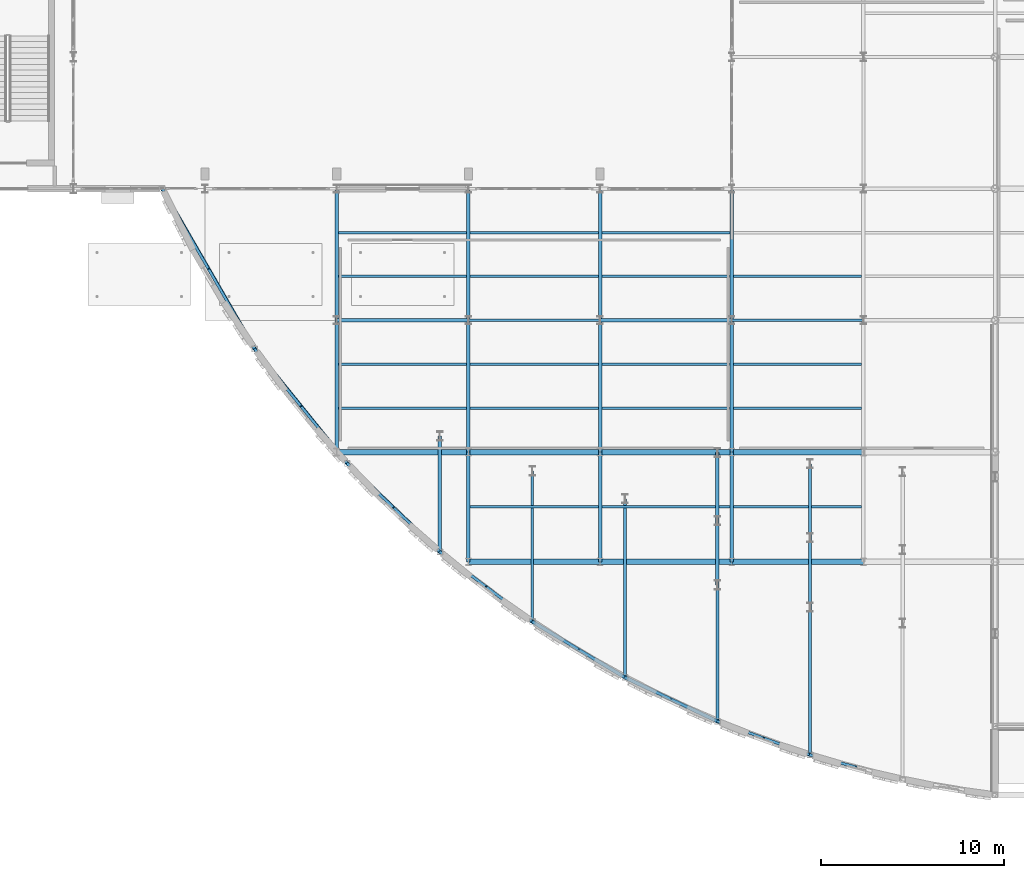
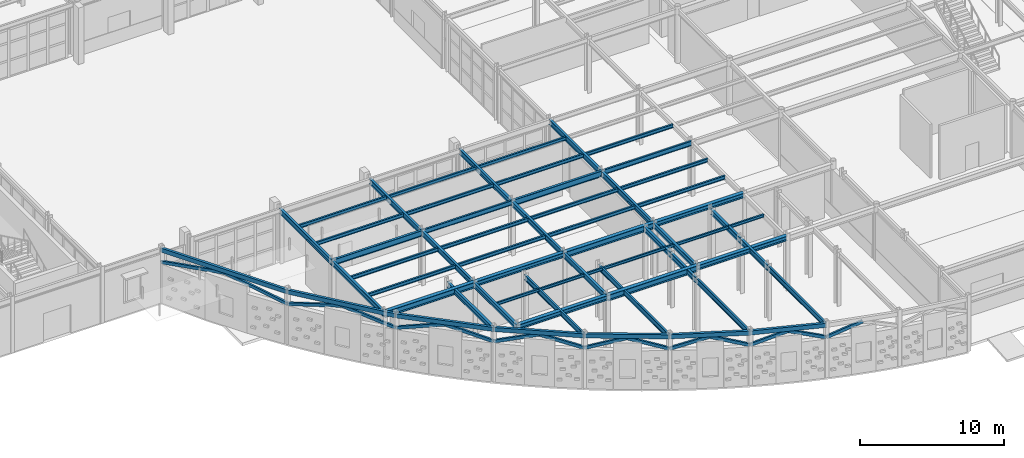
# One storey, part 17 of 83: 56 beams, 15 members.
"""IFC4 building model written with IfcOpenShell, lengths in metres."""

from ifc_helpers import new_model, si_unit, direction, frame, origin, origin_2d, place, context, subcontext, project, spatial, hollow_rectangle, i_section, extrude, material, material_profile, profile_set, type_object, element, save


model = new_model("IFC4")

# Units and contexts
model_context = context("Model", 3, precision=1e-05, world=origin(), true_north=direction((0.0, 1.0)))
body_context = subcontext(model_context, "Body", "Model", "MODEL_VIEW")
ifc_project = project(units=[si_unit("LENGTHUNIT", "METRE"), si_unit("AREAUNIT", "SQUARE_METRE"), si_unit("VOLUMEUNIT", "CUBIC_METRE"), si_unit("PLANEANGLEUNIT", "RADIAN"), si_unit("MASSUNIT", "GRAM", prefix="KILO")], contexts=[model_context])

# Site, building, storey
site_placement = place(None, origin())
site = spatial("IfcSite", under=ifc_project, at=site_placement, CompositionType="ELEMENT")
building_placement = place(site_placement, origin())
building = spatial("IfcBuilding", under=site, at=building_placement, Name="Solvadek Multi-Sports Hall", CompositionType="ELEMENT")
storey_placement = place(building_placement, origin())
storey = spatial("IfcBuildingStorey", under=building, at=storey_placement, Name="L00", CompositionType="ELEMENT", Elevation=0.0)

# Members
ifc_material_1 = material(Name="Steel E350 (350 MPa)", Category="steel")
ifc_material_profile_1 = material_profile(ifc_material_1, hollow_rectangle(XDim=0.14990234375, YDim=0.25, WallThickness=0.010009765625, at=origin_2d()), Name="RHS 250x150x10")
ifc_profile_set_1 = profile_set([ifc_material_profile_1], Name="Steel E350 (350 MPa)")
member_type = type_object("IfcMemberType", Name="STR-ARC-RHS250", PredefinedType="USERDEFINED", material=ifc_profile_set_1)
for number, where, z_axis, x_axis, name in (
    (1, (26.45458984375, 20.39990234375, 3.35009765625), (0.492672478072, -0.853572656915, 0.169373990677), (0.866085996316, 0.499895035967, 0.0), "Crescent Pointed Revak Arch W-1L"),
    (2, (28.98486328125, 16.01611328125, 4.219970703125), (0.492672478072, -0.853572656915, -0.169373990677), (0.866085996316, 0.499895035967, 0.0), "Crescent Pointed Revak Arch W-1R"),
):
    element("IfcMember", number, at=place(storey_placement, frame(where, z_axis=z_axis, x_axis=x_axis)), inside=storey, type_object=member_type, Name=name, ObjectType="ARCH_SEGMENT", PredefinedType="USERDEFINED", context=body_context, shape_type="SweptSolid", body=[
        extrude(hollow_rectangle(XDim=0.14990234375, YDim=0.25, WallThickness=0.010009765625, at=origin_2d()), origin(), (0.0, 0.0, 1.0), 5.1357421875),
    ])
for number, where, z_axis, x_axis, name in (
    (3, (31.51513671875, 11.63232421875, 3.35009765625), (0.614437565211, -0.760161951094, 0.211235145199), (0.777710782373, 0.628622254602, 0.0), "Crescent Pointed Revak Arch W-2L"),
    (4, (34.04541015625, 8.501953125, 4.219970703125), (0.614437565211, -0.760161951094, -0.211235145199), (0.777710782373, 0.628622254602, 0.0), "Crescent Pointed Revak Arch W-2R"),
):
    element("IfcMember", number, at=place(storey_placement, frame(where, z_axis=z_axis, x_axis=x_axis)), inside=storey, type_object=member_type, Name=name, ObjectType="ARCH_SEGMENT", PredefinedType="USERDEFINED", context=body_context, shape_type="SweptSolid", body=[
        extrude(hollow_rectangle(XDim=0.14990234375, YDim=0.25, WallThickness=0.010009765625, at=origin_2d()), origin(), (0.0, 0.0, 1.0), 4.117919921875),
    ])
member_1_placement = place(storey_placement, frame((36.57568359375, 5.37158203125, 3.35009765625), z_axis=(0.702293719615, -0.669702954624, 0.241415583501), x_axis=(0.690115306789, 0.723699428862, 0.0)))
element("IfcMember", 5, at=member_1_placement, inside=storey, type_object=member_type, Name="Crescent Pointed Revak Arch W-3L", ObjectType="ARCH_SEGMENT", PredefinedType="USERDEFINED", context=body_context, shape_type="SweptSolid", body=[
    extrude(hollow_rectangle(XDim=0.14990234375, YDim=0.25, WallThickness=0.010009765625, at=origin_2d()), origin(), (0.0, 0.0, 1.0), 3.603271484375),
])
member_2_placement = place(storey_placement, frame((39.106201171875, 2.95849609375, 4.219970703125), z_axis=(0.702259379403, -0.669734823043, -0.24142707148), x_axis=(0.690150179104, 0.723666173233, 0.0)))
element("IfcMember", 6, at=member_2_placement, inside=storey, type_object=member_type, Name="Crescent Pointed Revak Arch W-3R", ObjectType="ARCH_SEGMENT", PredefinedType="USERDEFINED", context=body_context, shape_type="SweptSolid", body=[
    extrude(hollow_rectangle(XDim=0.14990234375, YDim=0.25, WallThickness=0.010009765625, at=origin_2d()), origin(), (0.0, 0.0, 1.0), 3.60302734375),
])
for number, where, z_axis, x_axis, name in (
    (7, (41.636474609375, 0.54541015625, 3.35009765625), (0.769432327623, -0.581380215903, 0.264520202945), (0.602853780732, 0.797851689888, 0.0), "Crescent Pointed Revak Arch W-4L"),
    (8, (44.166748046875, -1.366455078125, 4.219970703125), (0.769432327623, -0.581380215903, -0.264520202945), (0.602853780732, 0.797851689888, 0.0), "Crescent Pointed Revak Arch W-4R"),
):
    element("IfcMember", number, at=place(storey_placement, frame(where, z_axis=z_axis, x_axis=x_axis)), inside=storey, type_object=member_type, Name=name, ObjectType="ARCH_SEGMENT", PredefinedType="USERDEFINED", context=body_context, shape_type="SweptSolid", body=[
        extrude(hollow_rectangle(XDim=0.14990234375, YDim=0.25, WallThickness=0.010009765625, at=origin_2d()), origin(), (0.0, 0.0, 1.0), 3.28857421875),
    ])
for number, where, z_axis, x_axis, name in (
    (9, (46.697021484375, -3.2783203125, 3.35009765625), (0.821898932932, -0.494614400299, 0.282557496916), (0.515625970897, 0.856813782648, 0.0), "Crescent Pointed Revak Arch W-5L"),
    (10, (49.227294921875, -4.801025390625, 4.219970703125), (0.821866693643, -0.494674299011, -0.282546413494), (0.515686659083, 0.856777257893, 0.0), "Crescent Pointed Revak Arch W-5R"),
):
    element("IfcMember", number, at=place(storey_placement, frame(where, z_axis=z_axis, x_axis=x_axis)), inside=storey, type_object=member_type, Name=name, ObjectType="ARCH_SEGMENT", PredefinedType="USERDEFINED", context=body_context, shape_type="SweptSolid", body=[
        extrude(hollow_rectangle(XDim=0.14990234375, YDim=0.25, WallThickness=0.010009765625, at=origin_2d()), origin(), (0.0, 0.0, 1.0), 3.07861328125),
    ])
for number, where, z_axis, x_axis, name in (
    (11, (51.757568359375, -6.323974609375, 3.35009765625), (0.862844596606, -0.409276730694, 0.296634050338), (0.428565959457, 0.903510497114, 0.0), "Crescent Pointed Revak Arch W-6L"),
    (12, (54.287841796875, -7.524169921875, 4.219970703125), (0.862873995625, -0.409207418805, -0.296644157315), (0.428494789526, 0.903544252015, 0.0), "Crescent Pointed Revak Arch W-6R"),
):
    element("IfcMember", number, at=place(storey_placement, frame(where, z_axis=z_axis, x_axis=x_axis)), inside=storey, type_object=member_type, Name=name, ObjectType="ARCH_SEGMENT", PredefinedType="USERDEFINED", context=body_context, shape_type="SweptSolid", body=[
        extrude(hollow_rectangle(XDim=0.14990234375, YDim=0.25, WallThickness=0.010009765625, at=origin_2d()), origin(), (0.0, 0.0, 1.0), 2.932373046875),
    ])
member_3_placement = place(storey_placement, frame((56.818115234375, -8.72412109375, 3.35009765625), z_axis=(0.894370339453, -0.324903929761, 0.307472165136), x_axis=(0.34144449994, 0.939901938215, 0.0)))
element("IfcMember", 13, at=member_3_placement, inside=storey, type_object=member_type, Name="Crescent Pointed Revak Arch W-7L", ObjectType="ARCH_SEGMENT", PredefinedType="USERDEFINED", context=body_context, shape_type="SweptSolid", body=[
    extrude(hollow_rectangle(XDim=0.14990234375, YDim=0.25, WallThickness=0.010009765625, at=origin_2d()), origin(), (0.0, 0.0, 1.0), 2.8291015625),
])
member_4_placement = place(storey_placement, frame((59.348388671875, -9.643310546875, 4.219970703125), z_axis=(0.894362530278, -0.324956033674, -0.307439816245), x_axis=(0.341495505346, 0.939883407572, 0.0)))
element("IfcMember", 14, at=member_4_placement, inside=storey, type_object=member_type, Name="Crescent Pointed Revak Arch W-7R", ObjectType="ARCH_SEGMENT", PredefinedType="USERDEFINED", context=body_context, shape_type="SweptSolid", body=[
    extrude(hollow_rectangle(XDim=0.14990234375, YDim=0.25, WallThickness=0.010009765625, at=origin_2d()), origin(), (0.0, 0.0, 1.0), 2.829345703125),
])
member_5_placement = place(storey_placement, frame((61.87890625, -10.562744140625, 3.35009765625), z_axis=(0.917712573696, -0.241382137775, 0.315496902748), x_axis=(0.254373874801, 0.967105956873, 0.0)))
element("IfcMember", 15, at=member_5_placement, inside=storey, type_object=member_type, Name="Crescent Pointed Revak Arch W-8L", ObjectType="ARCH_SEGMENT", PredefinedType="USERDEFINED", context=body_context, shape_type="SweptSolid", body=[
    extrude(hollow_rectangle(XDim=0.14990234375, YDim=0.25, WallThickness=0.010009765625, at=origin_2d()), origin(), (0.0, 0.0, 1.0), 2.757080078125),
])

# Beams
ifc_material_profile_2 = material_profile(ifc_material_1, i_section(OverallWidth=0.139892578125, OverallDepth=0.39990234375, WebThickness=0.0087890625, FlangeThickness=0.01611328125, at=origin_2d()), Name="ISMB 400")
ifc_profile_set_2 = profile_set([ifc_material_profile_2], Name="Steel E350 (350 MPa)")
beam_type_1 = type_object("IfcBeamType", Name="STR-BM-ISMB400", PredefinedType="BEAM", material=ifc_profile_set_2)
for number, where, z_axis, x_axis, name in (
    (16, (43.199951171875, 13.199951171875, 4.3798828125), (1.0, 0.0, 0.0), (0.0, 1.0, 0.0), "L00 Girder B-10 #544"),
    (17, (57.60009765625, 13.199951171875, 4.3798828125), (1.0, 0.0, 0.0), (0.0, 1.0, 0.0), "L00 Girder B-10 #546"),
):
    element("IfcBeam", number, at=place(storey_placement, frame(where, z_axis=z_axis, x_axis=x_axis)), inside=storey, type_object=beam_type_1, Name=name, PredefinedType="BEAM", context=body_context, shape_type="SweptSolid", body=[
        extrude(i_section(OverallWidth=0.139892578125, OverallDepth=0.39990234375, WebThickness=0.0087890625, FlangeThickness=0.01611328125, at=origin_2d()), origin(), (0.0, 0.0, 1.0), 7.199951171875),
    ])
ifc_material_profile_3 = material_profile(ifc_material_1, i_section(OverallWidth=0.14990234375, OverallDepth=0.449951171875, WebThickness=0.009521484375, FlangeThickness=0.017333984375, at=origin_2d()), Name="ISMB 450")
ifc_profile_set_3 = profile_set([ifc_material_profile_3], Name="Steel E350 (350 MPa)")
beam_type_2 = type_object("IfcBeamType", Name="STR-BM-ISMB450", PredefinedType="BEAM", material=ifc_profile_set_3)
beam_1_placement = place(storey_placement, frame((46.697021484375, -3.2783203125, 4.35498046875), z_axis=(0.0, 1.0, 0.0), x_axis=(-1.0, 0.0, 0.0)))
element("IfcBeam", 18, at=beam_1_placement, inside=storey, type_object=beam_type_2, Name="L00 Girder B-09 #805", PredefinedType="BEAM", context=body_context, shape_type="SweptSolid", body=[
    extrude(i_section(OverallWidth=0.14990234375, OverallDepth=0.449951171875, WebThickness=0.009521484375, FlangeThickness=0.017333984375, at=origin_2d()), origin(), (0.0, 0.0, 1.0), 8.239013671875),
])
beam_2_placement = place(storey_placement, frame((51.757568359375, -6.323974609375, 4.35498046875), z_axis=(0.0, 1.0, 0.0), x_axis=(-1.0, 0.0, 0.0)))
element("IfcBeam", 19, at=beam_2_placement, inside=storey, type_object=beam_type_2, Name="L00 Girder B-09 #817", PredefinedType="BEAM", context=body_context, shape_type="SweptSolid", body=[
    extrude(i_section(OverallWidth=0.14990234375, OverallDepth=0.449951171875, WebThickness=0.009521484375, FlangeThickness=0.017333984375, at=origin_2d()), origin(), (0.0, 0.0, 1.0), 9.761962890625),
])
beam_3_placement = place(storey_placement, frame((56.818115234375, -8.72412109375, 4.35498046875), z_axis=(0.0, 1.0, 0.0), x_axis=(-1.0, 0.0, 0.0)))
element("IfcBeam", 20, at=beam_3_placement, inside=storey, type_object=beam_type_2, Name="L00 Girder B-09 #818", PredefinedType="BEAM", context=body_context, shape_type="SweptSolid", body=[
    extrude(i_section(OverallWidth=0.14990234375, OverallDepth=0.449951171875, WebThickness=0.009521484375, FlangeThickness=0.017333984375, at=origin_2d()), origin(), (0.0, 0.0, 1.0), 7.4541015625),
])
beam_4_placement = place(storey_placement, frame((61.87890625, -10.562744140625, 4.35498046875), z_axis=(0.0, 1.0, 0.0), x_axis=(-1.0, 0.0, 0.0)))
element("IfcBeam", 21, at=beam_4_placement, inside=storey, type_object=beam_type_2, Name="L00 Girder B-09 #836", PredefinedType="BEAM", context=body_context, shape_type="SweptSolid", body=[
    extrude(i_section(OverallWidth=0.14990234375, OverallDepth=0.449951171875, WebThickness=0.009521484375, FlangeThickness=0.017333984375, at=origin_2d()), origin(), (0.0, 0.0, 1.0), 8.079345703125),
])
ifc_material_profile_4 = material_profile(ifc_material_1, i_section(OverallWidth=0.179931640625, OverallDepth=0.5, WebThickness=0.01025390625, FlangeThickness=0.01708984375, at=origin_2d()), Name="ISMB 500")
ifc_profile_set_4 = profile_set([ifc_material_profile_4], Name="Steel E350 (350 MPa)")
beam_type_3 = type_object("IfcBeamType", Name="STR-BM-ISMB500", PredefinedType="BEAM", material=ifc_profile_set_4)
beam_5_placement = place(storey_placement, frame((36.0, 13.199951171875, 4.330078125), z_axis=(1.0, 0.0, 0.0), x_axis=(0.0, 1.0, 0.0)))
element("IfcBeam", 22, at=beam_5_placement, inside=storey, type_object=beam_type_3, Name="L00 Girder B-07 #543", PredefinedType="BEAM", context=body_context, shape_type="SweptSolid", body=[
    extrude(i_section(OverallWidth=0.179931640625, OverallDepth=0.5, WebThickness=0.01025390625, FlangeThickness=0.01708984375, at=origin_2d()), origin(), (0.0, 0.0, 1.0), 7.199951171875),
])
beam_6_placement = place(storey_placement, frame((50.39990234375, 13.199951171875, 4.330078125), z_axis=(1.0, 0.0, 0.0), x_axis=(0.0, 1.0, 0.0)))
element("IfcBeam", 23, at=beam_6_placement, inside=storey, type_object=beam_type_3, Name="L00 Girder B-07 #545", PredefinedType="BEAM", context=body_context, shape_type="SweptSolid", body=[
    extrude(i_section(OverallWidth=0.179931640625, OverallDepth=0.5, WebThickness=0.01025390625, FlangeThickness=0.01708984375, at=origin_2d()), origin(), (0.0, 0.0, 1.0), 7.2001953125),
])
ifc_material_profile_5 = material_profile(ifc_material_1, i_section(OverallWidth=0.18994140625, OverallDepth=0.449951171875, WebThickness=0.009521484375, FlangeThickness=0.0146484375, at=origin_2d()), Name="NPB 450")
ifc_profile_set_5 = profile_set([ifc_material_profile_5], Name="Steel E350 (350 MPa)")
beam_type_4 = type_object("IfcBeamType", Name="STR-BM-NPB450", PredefinedType="BEAM", material=ifc_profile_set_5)
for number, where, z_axis, x_axis, name in (
    (24, (36.0, 6.0, 4.35498046875), (0.0, 1.0, 0.0), (-1.0, 0.0, 0.0), "L00 Girder B-08 #783"),
    (25, (36.0, 13.199951171875, 4.35498046875), (0.0, 1.0, 0.0), (-1.0, 0.0, 0.0), "L00 Girder B-08 #784"),
):
    element("IfcBeam", number, at=place(storey_placement, frame(where, z_axis=z_axis, x_axis=x_axis)), inside=storey, type_object=beam_type_4, Name=name, PredefinedType="BEAM", context=body_context, shape_type="SweptSolid", body=[
        extrude(i_section(OverallWidth=0.18994140625, OverallDepth=0.449951171875, WebThickness=0.009521484375, FlangeThickness=0.0146484375, at=origin_2d()), origin(), (0.0, 0.0, 1.0), 7.199951171875),
    ])
beam_7_placement = place(storey_placement, frame((41.636474609375, 0.54541015625, 4.35498046875), z_axis=(0.0, 1.0, 0.0), x_axis=(-1.0, 0.0, 0.0)))
element("IfcBeam", 26, at=beam_7_placement, inside=storey, type_object=beam_type_4, Name="L00 Girder B-08 #793", PredefinedType="BEAM", context=body_context, shape_type="SweptSolid", body=[
    extrude(i_section(OverallWidth=0.18994140625, OverallDepth=0.449951171875, WebThickness=0.009521484375, FlangeThickness=0.0146484375, at=origin_2d()), origin(), (0.0, 0.0, 1.0), 6.3271484375),
])
beam_8_placement = place(storey_placement, frame((43.199951171875, 0.0, 4.35498046875), z_axis=(0.0, 1.0, 0.0), x_axis=(-1.0, 0.0, 0.0)))
element("IfcBeam", 27, at=beam_8_placement, inside=storey, type_object=beam_type_4, Name="L00 Girder B-08 #794", PredefinedType="BEAM", context=body_context, shape_type="SweptSolid", body=[
    extrude(i_section(OverallWidth=0.18994140625, OverallDepth=0.449951171875, WebThickness=0.009521484375, FlangeThickness=0.0146484375, at=origin_2d()), origin(), (0.0, 0.0, 1.0), 6.0),
])
for number, where, z_axis, x_axis, name in (
    (28, (43.199951171875, 6.0, 4.35498046875), (0.0, 1.0, 0.0), (-1.0, 0.0, 0.0), "L00 Girder B-08 #795"),
    (29, (43.199951171875, 13.199951171875, 4.35498046875), (0.0, 1.0, 0.0), (-1.0, 0.0, 0.0), "L00 Girder B-08 #796"),
):
    element("IfcBeam", number, at=place(storey_placement, frame(where, z_axis=z_axis, x_axis=x_axis)), inside=storey, type_object=beam_type_4, Name=name, PredefinedType="BEAM", context=body_context, shape_type="SweptSolid", body=[
        extrude(i_section(OverallWidth=0.18994140625, OverallDepth=0.449951171875, WebThickness=0.009521484375, FlangeThickness=0.0146484375, at=origin_2d()), origin(), (0.0, 0.0, 1.0), 7.199951171875),
    ])
beam_9_placement = place(storey_placement, frame((50.39990234375, 0.0, 4.35498046875), z_axis=(0.0, 1.0, 0.0), x_axis=(-1.0, 0.0, 0.0)))
element("IfcBeam", 30, at=beam_9_placement, inside=storey, type_object=beam_type_4, Name="L00 Girder B-08 #806", PredefinedType="BEAM", context=body_context, shape_type="SweptSolid", body=[
    extrude(i_section(OverallWidth=0.18994140625, OverallDepth=0.449951171875, WebThickness=0.009521484375, FlangeThickness=0.0146484375, at=origin_2d()), origin(), (0.0, 0.0, 1.0), 6.0),
])
for number, where, z_axis, x_axis, name in (
    (31, (50.39990234375, 6.0, 4.35498046875), (0.0, 1.0, 0.0), (-1.0, 0.0, 0.0), "L00 Girder B-08 #807"),
    (32, (50.39990234375, 13.199951171875, 4.35498046875), (0.0, 1.0, 0.0), (-1.0, 0.0, 0.0), "L00 Girder B-08 #808"),
):
    element("IfcBeam", number, at=place(storey_placement, frame(where, z_axis=z_axis, x_axis=x_axis)), inside=storey, type_object=beam_type_4, Name=name, PredefinedType="BEAM", context=body_context, shape_type="SweptSolid", body=[
        extrude(i_section(OverallWidth=0.18994140625, OverallDepth=0.449951171875, WebThickness=0.009521484375, FlangeThickness=0.0146484375, at=origin_2d()), origin(), (0.0, 0.0, 1.0), 7.199951171875),
    ])
beam_10_placement = place(storey_placement, frame((56.818115234375, -1.27001953125, 4.35498046875), z_axis=(0.0, 1.0, 0.0), x_axis=(-1.0, 0.0, 0.0)))
element("IfcBeam", 33, at=beam_10_placement, inside=storey, type_object=beam_type_4, Name="L00 Girder B-08 #819", PredefinedType="BEAM", context=body_context, shape_type="SweptSolid", body=[
    extrude(i_section(OverallWidth=0.18994140625, OverallDepth=0.449951171875, WebThickness=0.009521484375, FlangeThickness=0.0146484375, at=origin_2d()), origin(), (0.0, 0.0, 1.0), 3.5078125),
])
beam_11_placement = place(storey_placement, frame((56.818115234375, 2.23779296875, 4.35498046875), z_axis=(0.0, 1.0, 0.0), x_axis=(-1.0, 0.0, 0.0)))
element("IfcBeam", 34, at=beam_11_placement, inside=storey, type_object=beam_type_4, Name="L00 Girder B-08 #820", PredefinedType="BEAM", context=body_context, shape_type="SweptSolid", body=[
    extrude(i_section(OverallWidth=0.18994140625, OverallDepth=0.449951171875, WebThickness=0.009521484375, FlangeThickness=0.0146484375, at=origin_2d()), origin(), (0.0, 0.0, 1.0), 3.727294921875),
])
beam_12_placement = place(storey_placement, frame((57.60009765625, 0.0, 4.35498046875), z_axis=(0.0, 1.0, 0.0), x_axis=(-1.0, 0.0, 0.0)))
element("IfcBeam", 35, at=beam_12_placement, inside=storey, type_object=beam_type_4, Name="L00 Girder B-08 #821", PredefinedType="BEAM", context=body_context, shape_type="SweptSolid", body=[
    extrude(i_section(OverallWidth=0.18994140625, OverallDepth=0.449951171875, WebThickness=0.009521484375, FlangeThickness=0.0146484375, at=origin_2d()), origin(), (0.0, 0.0, 1.0), 6.0),
])
for number, where, z_axis, x_axis, name in (
    (36, (57.60009765625, 6.0, 4.35498046875), (0.0, 1.0, 0.0), (-1.0, 0.0, 0.0), "L00 Girder B-08 #822"),
    (37, (57.60009765625, 13.199951171875, 4.35498046875), (0.0, 1.0, 0.0), (-1.0, 0.0, 0.0), "L00 Girder B-08 #823"),
):
    element("IfcBeam", number, at=place(storey_placement, frame(where, z_axis=z_axis, x_axis=x_axis)), inside=storey, type_object=beam_type_4, Name=name, PredefinedType="BEAM", context=body_context, shape_type="SweptSolid", body=[
        extrude(i_section(OverallWidth=0.18994140625, OverallDepth=0.449951171875, WebThickness=0.009521484375, FlangeThickness=0.0146484375, at=origin_2d()), origin(), (0.0, 0.0, 1.0), 7.199951171875),
    ])
beam_13_placement = place(storey_placement, frame((61.87890625, -2.4833984375, 4.35498046875), z_axis=(0.0, 1.0, 0.0), x_axis=(-1.0, 0.0, 0.0)))
element("IfcBeam", 38, at=beam_13_placement, inside=storey, type_object=beam_type_4, Name="L00 Girder B-08 #837", PredefinedType="BEAM", context=body_context, shape_type="SweptSolid", body=[
    extrude(i_section(OverallWidth=0.18994140625, OverallDepth=0.449951171875, WebThickness=0.009521484375, FlangeThickness=0.0146484375, at=origin_2d()), origin(), (0.0, 0.0, 1.0), 3.802001953125),
])
beam_14_placement = place(storey_placement, frame((61.87890625, 1.318603515625, 4.35498046875), z_axis=(0.0, 1.0, 0.0), x_axis=(-1.0, 0.0, 0.0)))
element("IfcBeam", 39, at=beam_14_placement, inside=storey, type_object=beam_type_4, Name="L00 Girder B-08 #838", PredefinedType="BEAM", context=body_context, shape_type="SweptSolid", body=[
    extrude(i_section(OverallWidth=0.18994140625, OverallDepth=0.449951171875, WebThickness=0.009521484375, FlangeThickness=0.0146484375, at=origin_2d()), origin(), (0.0, 0.0, 1.0), 4.039794921875),
])
ifc_material_2 = material(Name="Steel E250 (250 MPa)", Category="steel")
ifc_material_profile_6 = material_profile(ifc_material_2, i_section(OverallWidth=0.125, OverallDepth=0.25, WebThickness=0.0068359375, FlangeThickness=0.012451171875, at=origin_2d()), Name="ISMB 250")
ifc_profile_set_6 = profile_set([ifc_material_profile_6], Name="Steel E250 (250 MPa)")
beam_type_5 = type_object("IfcBeamType", Name="STR-JST-ISMB250", PredefinedType="JOIST", material=ifc_profile_set_6)
beam_15_placement = place(storey_placement, frame((43.294921875, 3.0, 4.455078125), z_axis=(1.0, 0.0, 0.0), x_axis=(0.0, 1.0, 0.0)))
element("IfcBeam", 40, at=beam_15_placement, inside=storey, type_object=beam_type_5, Name="L00 Composite Joist J-04 #367", PredefinedType="JOIST", context=body_context, shape_type="SweptSolid", body=[
    extrude(i_section(OverallWidth=0.125, OverallDepth=0.25, WebThickness=0.0068359375, FlangeThickness=0.012451171875, at=origin_2d()), origin(), (0.0, 0.0, 1.0), 7.010009765625),
])
beam_16_placement = place(storey_placement, frame((50.4951171875, 3.0, 4.455078125), z_axis=(1.0, 0.0, 0.0), x_axis=(0.0, 1.0, 0.0)))
element("IfcBeam", 41, at=beam_16_placement, inside=storey, type_object=beam_type_5, Name="L00 Composite Joist J-04 #368", PredefinedType="JOIST", context=body_context, shape_type="SweptSolid", body=[
    extrude(i_section(OverallWidth=0.125, OverallDepth=0.25, WebThickness=0.0068359375, FlangeThickness=0.012451171875, at=origin_2d()), origin(), (0.0, 0.0, 1.0), 7.009765625),
])
beam_17_placement = place(storey_placement, frame((57.695068359375, 3.0, 4.455078125), z_axis=(1.0, 0.0, 0.0), x_axis=(0.0, 1.0, 0.0)))
element("IfcBeam", 42, at=beam_17_placement, inside=storey, type_object=beam_type_5, Name="L00 Composite Joist J-04 #369", PredefinedType="JOIST", context=body_context, shape_type="SweptSolid", body=[
    extrude(i_section(OverallWidth=0.125, OverallDepth=0.25, WebThickness=0.0068359375, FlangeThickness=0.012451171875, at=origin_2d()), origin(), (0.0, 0.0, 1.0), 7.010009765625),
])
ifc_material_profile_7 = material_profile(ifc_material_1, i_section(OverallWidth=0.139892578125, OverallDepth=0.300048828125, WebThickness=0.0078125, FlangeThickness=0.01318359375, at=origin_2d()), Name="ISMB 300")
ifc_profile_set_7 = profile_set([ifc_material_profile_7], Name="Steel E350 (350 MPa)")
beam_type_6 = type_object("IfcBeamType", Name="STR-JST-ISMB300", PredefinedType="JOIST", material=ifc_profile_set_7)
for number, where, z_axis, x_axis, name in (
    (43, (36.094970703125, 8.39990234375, 4.429931640625), (1.0, 0.0, 0.0), (0.0, 1.0, 0.0), "L00 Composite Joist J-03 #370"),
    (44, (36.094970703125, 10.800048828125, 4.429931640625), (1.0, 0.0, 0.0), (0.0, 1.0, 0.0), "L00 Composite Joist J-03 #371"),
    (45, (43.294921875, 8.39990234375, 4.429931640625), (1.0, 0.0, 0.0), (0.0, 1.0, 0.0), "L00 Composite Joist J-03 #372"),
    (46, (43.294921875, 10.800048828125, 4.429931640625), (1.0, 0.0, 0.0), (0.0, 1.0, 0.0), "L00 Composite Joist J-03 #373"),
):
    element("IfcBeam", number, at=place(storey_placement, frame(where, z_axis=z_axis, x_axis=x_axis)), inside=storey, type_object=beam_type_6, Name=name, PredefinedType="JOIST", context=body_context, shape_type="SweptSolid", body=[
        extrude(i_section(OverallWidth=0.139892578125, OverallDepth=0.300048828125, WebThickness=0.0078125, FlangeThickness=0.01318359375, at=origin_2d()), origin(), (0.0, 0.0, 1.0), 7.010009765625),
    ])
for number, where, z_axis, x_axis, name in (
    (47, (50.4951171875, 8.39990234375, 4.429931640625), (1.0, 0.0, 0.0), (0.0, 1.0, 0.0), "L00 Composite Joist J-03 #374"),
    (48, (50.4951171875, 10.800048828125, 4.429931640625), (1.0, 0.0, 0.0), (0.0, 1.0, 0.0), "L00 Composite Joist J-03 #375"),
):
    element("IfcBeam", number, at=place(storey_placement, frame(where, z_axis=z_axis, x_axis=x_axis)), inside=storey, type_object=beam_type_6, Name=name, PredefinedType="JOIST", context=body_context, shape_type="SweptSolid", body=[
        extrude(i_section(OverallWidth=0.139892578125, OverallDepth=0.300048828125, WebThickness=0.0078125, FlangeThickness=0.01318359375, at=origin_2d()), origin(), (0.0, 0.0, 1.0), 7.009765625),
    ])
for number, where, z_axis, x_axis, name in (
    (49, (57.695068359375, 8.39990234375, 4.429931640625), (1.0, 0.0, 0.0), (0.0, 1.0, 0.0), "L00 Composite Joist J-03 #376"),
    (50, (57.695068359375, 10.800048828125, 4.429931640625), (1.0, 0.0, 0.0), (0.0, 1.0, 0.0), "L00 Composite Joist J-03 #377"),
    (51, (36.094970703125, 15.60009765625, 4.429931640625), (1.0, 0.0, 0.0), (0.0, 1.0, 0.0), "L00 Composite Joist J-03 #390"),
    (52, (36.094970703125, 18.0, 4.429931640625), (1.0, 0.0, 0.0), (0.0, 1.0, 0.0), "L00 Composite Joist J-03 #391"),
    (53, (43.294921875, 15.60009765625, 4.429931640625), (1.0, 0.0, 0.0), (0.0, 1.0, 0.0), "L00 Composite Joist J-03 #392"),
    (54, (43.294921875, 18.0, 4.429931640625), (1.0, 0.0, 0.0), (0.0, 1.0, 0.0), "L00 Composite Joist J-03 #393"),
):
    element("IfcBeam", number, at=place(storey_placement, frame(where, z_axis=z_axis, x_axis=x_axis)), inside=storey, type_object=beam_type_6, Name=name, PredefinedType="JOIST", context=body_context, shape_type="SweptSolid", body=[
        extrude(i_section(OverallWidth=0.139892578125, OverallDepth=0.300048828125, WebThickness=0.0078125, FlangeThickness=0.01318359375, at=origin_2d()), origin(), (0.0, 0.0, 1.0), 7.010009765625),
    ])
for number, where, z_axis, x_axis, name in (
    (55, (50.4951171875, 15.60009765625, 4.429931640625), (1.0, 0.0, 0.0), (0.0, 1.0, 0.0), "L00 Composite Joist J-03 #394"),
    (56, (50.4951171875, 18.0, 4.429931640625), (1.0, 0.0, 0.0), (0.0, 1.0, 0.0), "L00 Composite Joist J-03 #395"),
):
    element("IfcBeam", number, at=place(storey_placement, frame(where, z_axis=z_axis, x_axis=x_axis)), inside=storey, type_object=beam_type_6, Name=name, PredefinedType="JOIST", context=body_context, shape_type="SweptSolid", body=[
        extrude(i_section(OverallWidth=0.139892578125, OverallDepth=0.300048828125, WebThickness=0.0078125, FlangeThickness=0.01318359375, at=origin_2d()), origin(), (0.0, 0.0, 1.0), 7.009765625),
    ])
beam_18_placement = place(storey_placement, frame((57.695068359375, 15.60009765625, 4.429931640625), z_axis=(1.0, 0.0, 0.0), x_axis=(0.0, 1.0, 0.0)))
element("IfcBeam", 57, at=beam_18_placement, inside=storey, type_object=beam_type_6, Name="L00 Composite Joist J-03 #396", PredefinedType="JOIST", context=body_context, shape_type="SweptSolid", body=[
    extrude(i_section(OverallWidth=0.139892578125, OverallDepth=0.300048828125, WebThickness=0.0078125, FlangeThickness=0.01318359375, at=origin_2d()), origin(), (0.0, 0.0, 1.0), 7.010009765625),
])
ifc_material_profile_8 = material_profile(ifc_material_1, hollow_rectangle(XDim=0.199951171875, YDim=0.35009765625, WallThickness=0.011962890625, at=origin_2d()), Name="RHS 350x200x12")
ifc_profile_set_8 = profile_set([ifc_material_profile_8], Name="Steel E350 (350 MPa)")
beam_type_7 = type_object("IfcBeamType", Name="STR-SPN-RHS350", PredefinedType="SPANDREL", material=ifc_profile_set_8)
beam_19_placement = place(storey_placement, frame((26.45458984375, 20.39990234375, 4.405029296875), z_axis=(0.499895035967, -0.866085996316, 0.0), x_axis=(0.866085996316, 0.499895035967, 0.0)))
element("IfcBeam", 58, at=beam_19_placement, inside=storey, type_object=beam_type_7, Name="L00 Curved Crescent Spandrel #20", PredefinedType="SPANDREL", context=body_context, shape_type="SweptSolid", body=[
    extrude(hollow_rectangle(XDim=0.199951171875, YDim=0.35009765625, WallThickness=0.011962890625, at=origin_2d()), origin(), (0.0, 0.0, 1.0), 10.123291015625),
])
beam_20_placement = place(storey_placement, frame((31.51513671875, 11.63232421875, 4.405029296875), z_axis=(0.628622254602, -0.777710782373, 0.0), x_axis=(0.777710782373, 0.628622254602, 0.0)))
element("IfcBeam", 59, at=beam_20_placement, inside=storey, type_object=beam_type_7, Name="L00 Curved Crescent Spandrel #21", PredefinedType="SPANDREL", context=body_context, shape_type="SweptSolid", body=[
    extrude(hollow_rectangle(XDim=0.199951171875, YDim=0.35009765625, WallThickness=0.011962890625, at=origin_2d()), origin(), (0.0, 0.0, 1.0), 8.05029296875),
])
beam_21_placement = place(storey_placement, frame((36.57568359375, 5.37158203125, 4.405029296875), z_axis=(0.723682801678, -0.690132742707, 0.0), x_axis=(0.690132742707, 0.723682801678, 0.0)))
element("IfcBeam", 60, at=beam_21_placement, inside=storey, type_object=beam_type_7, Name="L00 Curved Crescent Spandrel #22", PredefinedType="SPANDREL", context=body_context, shape_type="SweptSolid", body=[
    extrude(hollow_rectangle(XDim=0.199951171875, YDim=0.35009765625, WallThickness=0.011962890625, at=origin_2d()), origin(), (0.0, 0.0, 1.0), 6.9931640625),
])
beam_22_placement = place(storey_placement, frame((41.636474609375, 0.54541015625, 4.405029296875), z_axis=(0.797851689888, -0.602853780732, 0.0), x_axis=(0.602853780732, 0.797851689888, 0.0)))
element("IfcBeam", 61, at=beam_22_placement, inside=storey, type_object=beam_type_7, Name="L00 Curved Crescent Spandrel #23", PredefinedType="SPANDREL", context=body_context, shape_type="SweptSolid", body=[
    extrude(hollow_rectangle(XDim=0.199951171875, YDim=0.35009765625, WallThickness=0.011962890625, at=origin_2d()), origin(), (0.0, 0.0, 1.0), 6.3427734375),
])
beam_23_placement = place(storey_placement, frame((46.697021484375, -3.2783203125, 4.405029296875), z_axis=(0.856795520419, -0.51565631596, 0.0), x_axis=(0.51565631596, 0.856795520419, 0.0)))
element("IfcBeam", 62, at=beam_23_placement, inside=storey, type_object=beam_type_7, Name="L00 Curved Crescent Spandrel #24", PredefinedType="SPANDREL", context=body_context, shape_type="SweptSolid", body=[
    extrude(hollow_rectangle(XDim=0.199951171875, YDim=0.35009765625, WallThickness=0.011962890625, at=origin_2d()), origin(), (0.0, 0.0, 1.0), 5.90625),
])
beam_24_placement = place(storey_placement, frame((51.757568359375, -6.323974609375, 4.405029296875), z_axis=(0.90352737495, -0.428530375489, 0.0), x_axis=(0.428530375489, 0.90352737495, 0.0)))
element("IfcBeam", 63, at=beam_24_placement, inside=storey, type_object=beam_type_7, Name="L00 Curved Crescent Spandrel #25", PredefinedType="SPANDREL", context=body_context, shape_type="SweptSolid", body=[
    extrude(hollow_rectangle(XDim=0.199951171875, YDim=0.35009765625, WallThickness=0.011962890625, at=origin_2d()), origin(), (0.0, 0.0, 1.0), 5.600830078125),
])
beam_25_placement = place(storey_placement, frame((56.818115234375, -8.72412109375, 4.405029296875), z_axis=(0.939892672701, -0.341470004251, 0.0), x_axis=(0.341470004251, 0.939892672701, 0.0)))
element("IfcBeam", 64, at=beam_25_placement, inside=storey, type_object=beam_type_7, Name="L00 Curved Crescent Spandrel #26", PredefinedType="SPANDREL", context=body_context, shape_type="SweptSolid", body=[
    extrude(hollow_rectangle(XDim=0.199951171875, YDim=0.35009765625, WallThickness=0.011962890625, at=origin_2d()), origin(), (0.0, 0.0, 1.0), 5.384521484375),
])
ifc_material_profile_9 = material_profile(ifc_material_1, i_section(OverallWidth=0.300048828125, OverallDepth=0.39990234375, WebThickness=0.013427734375, FlangeThickness=0.02392578125, at=origin_2d()), Name="WPB 400")
ifc_profile_set_9 = profile_set([ifc_material_profile_9], Name="Steel E350 (350 MPa)")
beam_type_8 = type_object("IfcBeamType", Name="STR-SPN-WPB400", PredefinedType="SPANDREL", material=ifc_profile_set_9)
for number, where, z_axis, x_axis, name in (
    (65, (43.199951171875, 0.0, 4.3798828125), (1.0, 0.0, 0.0), (0.0, 1.0, 0.0), "L00 Girder SP-02 #526"),
    (66, (57.60009765625, 0.0, 4.3798828125), (1.0, 0.0, 0.0), (0.0, 1.0, 0.0), "L00 Girder SP-02 #528"),
    (67, (43.199951171875, 6.0, 4.3798828125), (1.0, 0.0, 0.0), (0.0, 1.0, 0.0), "L00 Girder SP-02 #532"),
    (68, (57.60009765625, 6.0, 4.3798828125), (1.0, 0.0, 0.0), (0.0, 1.0, 0.0), "L00 Girder SP-02 #534"),
):
    element("IfcBeam", number, at=place(storey_placement, frame(where, z_axis=z_axis, x_axis=x_axis)), inside=storey, type_object=beam_type_8, Name=name, PredefinedType="SPANDREL", context=body_context, shape_type="SweptSolid", body=[
        extrude(i_section(OverallWidth=0.300048828125, OverallDepth=0.39990234375, WebThickness=0.013427734375, FlangeThickness=0.02392578125, at=origin_2d()), origin(), (0.0, 0.0, 1.0), 7.199951171875),
    ])
ifc_material_profile_10 = material_profile(ifc_material_1, i_section(OverallWidth=0.300048828125, OverallDepth=0.5, WebThickness=0.014404296875, FlangeThickness=0.028076171875, at=origin_2d()), Name="WPB 500")
ifc_profile_set_10 = profile_set([ifc_material_profile_10], Name="Steel E350 (350 MPa)")
beam_type_9 = type_object("IfcBeamType", Name="STR-SPN-WPB500", PredefinedType="SPANDREL", material=ifc_profile_set_10)
beam_26_placement = place(storey_placement, frame((50.39990234375, 0.0, 4.330078125), z_axis=(1.0, 0.0, 0.0), x_axis=(0.0, 1.0, 0.0)))
element("IfcBeam", 69, at=beam_26_placement, inside=storey, type_object=beam_type_9, Name="L00 Girder SP-01 #527", PredefinedType="SPANDREL", context=body_context, shape_type="SweptSolid", body=[
    extrude(i_section(OverallWidth=0.300048828125, OverallDepth=0.5, WebThickness=0.014404296875, FlangeThickness=0.028076171875, at=origin_2d()), origin(), (0.0, 0.0, 1.0), 7.2001953125),
])
beam_27_placement = place(storey_placement, frame((36.0, 6.0, 4.330078125), z_axis=(1.0, 0.0, 0.0), x_axis=(0.0, 1.0, 0.0)))
element("IfcBeam", 70, at=beam_27_placement, inside=storey, type_object=beam_type_9, Name="L00 Girder SP-01 #531", PredefinedType="SPANDREL", context=body_context, shape_type="SweptSolid", body=[
    extrude(i_section(OverallWidth=0.300048828125, OverallDepth=0.5, WebThickness=0.014404296875, FlangeThickness=0.028076171875, at=origin_2d()), origin(), (0.0, 0.0, 1.0), 7.199951171875),
])
beam_28_placement = place(storey_placement, frame((50.39990234375, 6.0, 4.330078125), z_axis=(1.0, 0.0, 0.0), x_axis=(0.0, 1.0, 0.0)))
element("IfcBeam", 71, at=beam_28_placement, inside=storey, type_object=beam_type_9, Name="L00 Girder SP-01 #533", PredefinedType="SPANDREL", context=body_context, shape_type="SweptSolid", body=[
    extrude(i_section(OverallWidth=0.300048828125, OverallDepth=0.5, WebThickness=0.014404296875, FlangeThickness=0.028076171875, at=origin_2d()), origin(), (0.0, 0.0, 1.0), 7.2001953125),
])

save(model, "model.ifc")
